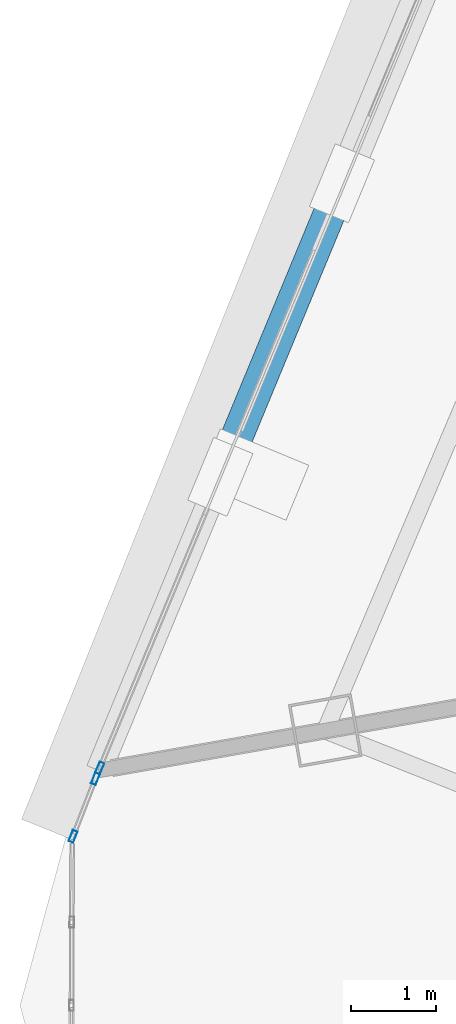
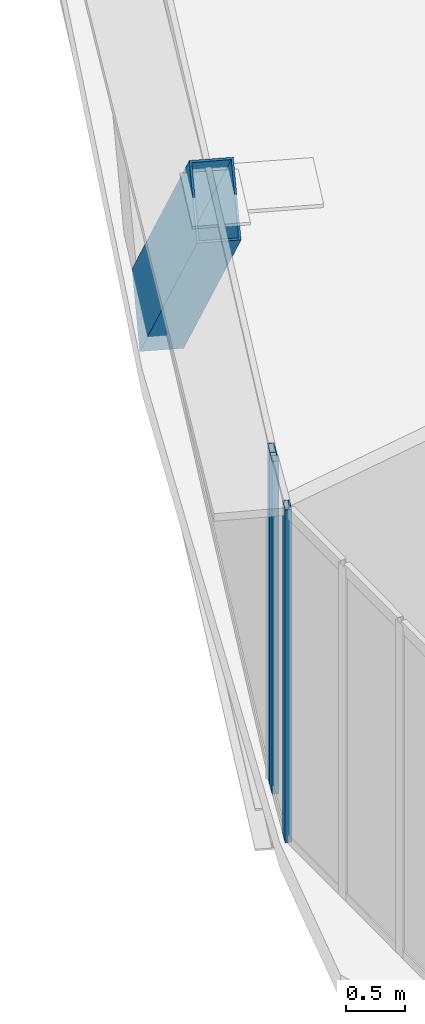
# One storey, part 4 of 39: 4 members, 2 elements without a shape of their own.
"""IFC4 building model written with IfcOpenShell, lengths in metres."""

from ifc_helpers import new_model, si_unit, direction, frame, origin, origin_2d, place, context, subcontext, project, spatial, hollow_rectangle, extrude, source, transform, mapped, material, layer, layer_set, material_profile, profile_set, type_object, element, aggregate, save


model = new_model("IFC4")

# Units and contexts
model_context = context("Model", 3, precision=1e-05, world=origin(), true_north=direction((0.0, 1.0)))
body_context = subcontext(model_context, "Body", "Model", "MODEL_VIEW")
ifc_project = project(units=[si_unit("LENGTHUNIT", "METRE"), si_unit("AREAUNIT", "SQUARE_METRE"), si_unit("VOLUMEUNIT", "CUBIC_METRE"), si_unit("PLANEANGLEUNIT", "RADIAN"), si_unit("MASSUNIT", "GRAM", prefix="KILO"), si_unit("THERMODYNAMICTEMPERATUREUNIT", "KELVIN"), si_unit("POWERUNIT", "WATT")], contexts=[model_context])

# Site, building, storey
site_placement = place(None, origin())
site = spatial("IfcSite", under=ifc_project, at=site_placement, CompositionType="ELEMENT")
building_placement = place(site_placement, origin())
building = spatial("IfcBuilding", under=site, at=building_placement, Name="Yunzhuo Pagoda Commons", CompositionType="ELEMENT")
storey_placement = place(building_placement, frame((0.0, 0.0, 296.2099609375)))
storey = spatial("IfcBuildingStorey", under=building, at=storey_placement, Name="L74", CompositionType="ELEMENT", Elevation=296.2099609375)

# Member
ifc_material_1 = material(Name="Structural steel Q355B", Category="steel")
ifc_material_profile_1 = material_profile(ifc_material_1, hollow_rectangle(XDim=0.3798828125, YDim=0.719970703125, WallThickness=0.02001953125, at=origin_2d()), Name="Structural steel Q355B")
ifc_profile_set_1 = profile_set([ifc_material_profile_1], Name="Structural steel Q355B")
member_type_1 = type_object("IfcMemberType", Name="M-DL3 Brace BOX 720x380x20", PredefinedType="BRACE", material=ifc_profile_set_1)
shared_shape_1 = source(origin(), body_context, "Body", "SweptSolid", [
    extrude(hollow_rectangle(XDim=0.3798828125, YDim=0.719970703125, WallThickness=0.02001953125, at=origin_2d()), origin(), (0.0, 0.0, 1.0), 5.2861328125),
])
member_1_placement = place(storey_placement, frame((19.53466796875, 35.0966796875, -0.260009765625), z_axis=(-0.271150627037, -0.654668734159, 0.705610505854), x_axis=(0.923890529664, -0.38265688181, 0.0)))
element("IfcMember", 1, at=member_1_placement, inside=storey, type_object=member_type_1, Name="L74 facade diamond brace F3.3R", PredefinedType="BRACE", context=body_context, shape_type="MappedRepresentation", body=[
    mapped(shared_shape_1, transform((0.0, 0.0, 0.0), scale=1.0)),
])

# Curtain wall, member
ifc_material_2 = material(Name="Anodized aluminium 6063-T6", Category="aluminium")
ifc_layer = layer(ifc_material_2, 0.139892578125)
ifc_layer_set = layer_set([ifc_layer], Name="Anodized aluminium 6063-T6")
curtain_wall_type = type_object("IfcCurtainWallType", Name="CW-HI High-Zone Ribbon Curtain Wall", PredefinedType="NOTDEFINED", material=ifc_layer_set)
curtain_wall_1_placement = place(storey_placement, origin())
curtain_wall_1 = element("IfcCurtainWall", 2, at=curtain_wall_1_placement, inside=storey, type_object=curtain_wall_type, Name="L74 curtain wall CW-L74-F3B4", PredefinedType="NOTDEFINED")
ifc_material_profile_2 = material_profile(ifc_material_2, hollow_rectangle(XDim=0.06005859375, YDim=0.139892578125, WallThickness=0.00341796875, at=origin_2d()), Name="Anodized aluminium 6063-T6")
ifc_profile_set_2 = profile_set([ifc_material_profile_2], Name="Anodized aluminium 6063-T6")
member_type_2 = type_object("IfcMemberType", Name="CW-HI-M Mullion RHS 140x60x3.5", PredefinedType="MULLION", material=ifc_profile_set_2)
shared_shape_2 = source(origin(), body_context, "Body", "SweptSolid", [
    extrude(hollow_rectangle(XDim=0.06005859375, YDim=0.139892578125, WallThickness=0.00341796875, at=origin_2d()), origin(), (0.0, 0.0, 1.0), 3.469970703125),
])
member_2_placement = place(storey_placement, frame((16.679931640625, 28.203125, 0.0), z_axis=(0.0, 0.0, 1.0), x_axis=(0.923899046183, -0.382636318796, 0.0)))
member_2 = element("IfcMember", 3, at=member_2_placement, type_object=member_type_2, Name="CW mullion 2", PredefinedType="MULLION", context=body_context, shape_type="MappedRepresentation", body=[
    mapped(shared_shape_2, transform((0.0, 0.0, 0.0), scale=1.0)),
])
aggregate(curtain_wall_1, [member_2])

# Curtain wall, members
curtain_wall_2_placement = place(storey_placement, origin())
curtain_wall_2 = element("IfcCurtainWall", 4, at=curtain_wall_2_placement, inside=storey, type_object=curtain_wall_type, Name="L74 curtain wall CW-L74-F3B5", PredefinedType="NOTDEFINED")
member_3_placement = place(storey_placement, frame((16.630126953125, 28.07763671875, 0.0), z_axis=(0.0, 0.0, 1.0), x_axis=(0.931923767987, -0.36265423017, 0.0)))
member_3 = element("IfcMember", 5, at=member_3_placement, type_object=member_type_2, Name="CW mullion 1", PredefinedType="MULLION", context=body_context, shape_type="MappedRepresentation", body=[
    mapped(shared_shape_2, transform((0.0, 0.0, 0.0), scale=1.0)),
])
member_4_placement = place(storey_placement, frame((16.36572265625, 27.398193359375, 0.0), z_axis=(0.0, 0.0, 1.0), x_axis=(0.931923767987, -0.36265423017, 0.0)))
member_4 = element("IfcMember", 6, at=member_4_placement, type_object=member_type_2, Name="CW mullion 2", PredefinedType="MULLION", context=body_context, shape_type="MappedRepresentation", body=[
    mapped(shared_shape_2, transform((0.0, 0.0, 0.0), scale=1.0)),
])
aggregate(curtain_wall_2, [member_3, member_4])

save(model, "model.ifc")
